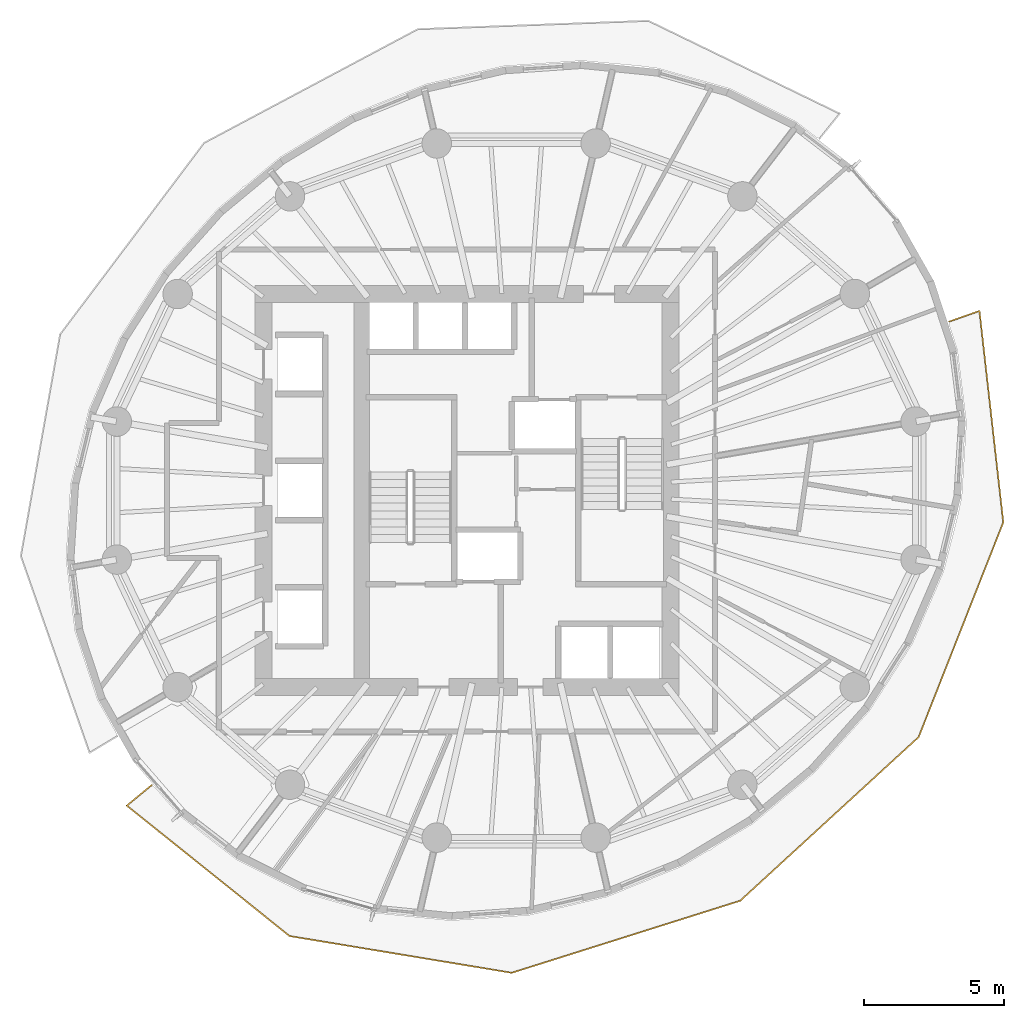
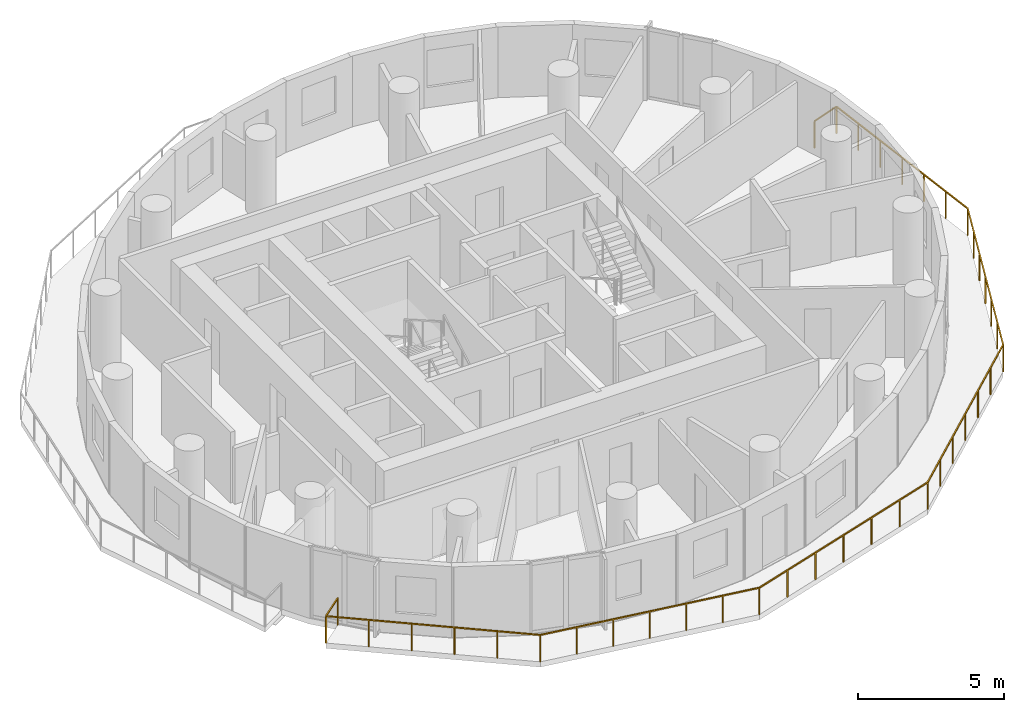
# One storey, part 9 of 12: 1 railing.
"""IFC4 building model written with IfcOpenShell, lengths in metres."""

from ifc_helpers import new_model, si_unit, direction, frame, origin, origin_2d, place, context, subcontext, project, spatial, rectangle, extrude, material, type_object, element, save


model = new_model("IFC4")

# Units and contexts
model_context = context("Model", 3, precision=1e-05, world=origin(), true_north=direction((0.0, 1.0)))
body_context = subcontext(model_context, "Body", "Model", "MODEL_VIEW")
ifc_project = project(units=[si_unit("LENGTHUNIT", "METRE"), si_unit("AREAUNIT", "SQUARE_METRE"), si_unit("VOLUMEUNIT", "CUBIC_METRE"), si_unit("PLANEANGLEUNIT", "RADIAN"), si_unit("MASSUNIT", "GRAM", prefix="KILO")], contexts=[model_context])

# Site, building, storey
site_placement = place(None, origin())
site = spatial("IfcSite", under=ifc_project, at=site_placement, CompositionType="ELEMENT")
building_placement = place(site_placement, origin())
building = spatial("IfcBuilding", under=site, at=building_placement, Name="Veldorim Arch Residences", CompositionType="ELEMENT")
storey_placement = place(building_placement, frame((0.0, 0.0, 142.56005859375)))
storey = spatial("IfcBuildingStorey", under=building, at=storey_placement, Name="L42", CompositionType="ELEMENT", Elevation=142.56005859375)

# Railing
ifc_material = material(Name="Aluminium", Category="aluminium")
railing_type = type_object("IfcRailingType", Name="Balcony & Terrace Laminated Glass Balustrade 1150", PredefinedType="BALUSTRADE", material=ifc_material)
railing_placement = place(storey_placement, frame((19.018310546875, 13.511962890625, 0.0)))
element("IfcRailing", 1, at=railing_placement, inside=storey, type_object=railing_type, Name="L42 crescent balcony safety balustrade B", PredefinedType="BALUSTRADE", context=body_context, shape_type="SweptSolid", body=[
    extrude(rectangle(XDim=0.048095703125, YDim=0.048095703125, at=origin_2d()), frame((0.0, 0.0, 1.1259765625), z_axis=(-0.771862825794, -0.635789098804, 0.0), x_axis=(0.635789098804, -0.771862825794, 0.0)), (0.0, 0.0, 1.0), 1.150146484375),
    extrude(rectangle(XDim=0.048095703125, YDim=0.048095703125, at=origin_2d()), frame((-0.8876953125, -0.731201171875, 1.1259765625), z_axis=(0.780352361535, -0.625340060964, 0.0), x_axis=(0.625340060964, 0.780352361535, 0.0)), (0.0, 0.0, 1.0), 7.42919921875),
    extrude(rectangle(XDim=0.048095703125, YDim=0.048095703125, at=origin_2d()), frame((4.90966796875, -5.376953125, 1.1259765625), z_axis=(0.986583319293, -0.163258549828, 0.0), x_axis=(0.163258549828, 0.986583319293, 0.0)), (0.0, 0.0, 1.0), 8.02001953125),
    extrude(rectangle(XDim=0.048095703125, YDim=0.048095703125, at=origin_2d()), frame((12.822021484375, -6.686279296875, 1.1259765625), z_axis=(0.953685518948, 0.300805470277, 0.0), x_axis=(-0.300805470277, 0.953685518948, 0.0)), (0.0, 0.0, 1.0), 8.533447265625),
    extrude(rectangle(XDim=0.048095703125, YDim=0.048095703125, at=origin_2d()), frame((20.960205078125, -4.119384765625, 1.1259765625), z_axis=(0.736834380594, 0.67607329157, 0.0), x_axis=(-0.67607329157, 0.736834380594, 0.0)), (0.0, 0.0, 1.0), 8.622802734375),
    extrude(rectangle(XDim=0.048095703125, YDim=0.048095703125, at=origin_2d()), frame((27.313720703125, 1.710205078125, 1.1259765625), z_axis=(0.366690452542, 0.930343007721, 0.0), x_axis=(-0.930343007721, 0.366690452542, 0.0)), (0.0, 0.0, 1.0), 8.220458984375),
    extrude(rectangle(XDim=0.048095703125, YDim=0.048095703125, at=origin_2d()), frame((30.328125, 9.358154296875, 1.1259765625), z_axis=(-0.11205134773, 0.993702417966, 0.0), x_axis=(-0.993702417966, -0.11205134773, 0.0)), (0.0, 0.0, 1.0), 7.57568359375),
    extrude(rectangle(XDim=0.048095703125, YDim=0.048095703125, at=origin_2d()), frame((29.479248046875, 16.88623046875, 1.1259765625), z_axis=(-0.94357671006, -0.331154030977, 0.0), x_axis=(0.331154030977, -0.94357671006, 0.0)), (0.0, 0.0, 1.0), 1.150146484375),
    extrude(rectangle(XDim=0.0419921875, YDim=0.0419921875, at=origin_2d()), origin(), (0.0, 0.0, 1.0), 1.101806640625),
    extrude(rectangle(XDim=0.0419921875, YDim=0.0419921875, at=origin_2d()), frame((-0.8876953125, -0.731201171875, 0.0)), (0.0, 0.0, 1.0), 1.101806640625),
    extrude(rectangle(XDim=0.0419921875, YDim=0.0419921875, at=origin_2d()), frame((0.271728515625, -1.660400390625, 0.0)), (0.0, 0.0, 1.0), 1.101806640625),
    extrude(rectangle(XDim=0.0419921875, YDim=0.0419921875, at=origin_2d()), frame((1.43115234375, -2.589599609375, 0.0)), (0.0, 0.0, 1.0), 1.101806640625),
    extrude(rectangle(XDim=0.0419921875, YDim=0.0419921875, at=origin_2d()), frame((2.5908203125, -3.5185546875, 0.0)), (0.0, 0.0, 1.0), 1.101806640625),
    extrude(rectangle(XDim=0.0419921875, YDim=0.0419921875, at=origin_2d()), frame((3.750244140625, -4.44775390625, 0.0)), (0.0, 0.0, 1.0), 1.101806640625),
    extrude(rectangle(XDim=0.0419921875, YDim=0.0419921875, at=origin_2d()), frame((4.90966796875, -5.376953125, 0.0)), (0.0, 0.0, 1.0), 1.101806640625),
    extrude(rectangle(XDim=0.0419921875, YDim=0.0419921875, at=origin_2d()), frame((6.228515625, -5.59521484375, 0.0)), (0.0, 0.0, 1.0), 1.101806640625),
    extrude(rectangle(XDim=0.0419921875, YDim=0.0419921875, at=origin_2d()), frame((7.547119140625, -5.8134765625, 0.0)), (0.0, 0.0, 1.0), 1.101806640625),
    extrude(rectangle(XDim=0.0419921875, YDim=0.0419921875, at=origin_2d()), frame((8.86572265625, -6.03173828125, 0.0)), (0.0, 0.0, 1.0), 1.101806640625),
    extrude(rectangle(XDim=0.0419921875, YDim=0.0419921875, at=origin_2d()), frame((10.1845703125, -6.249755859375, 0.0)), (0.0, 0.0, 1.0), 1.101806640625),
    extrude(rectangle(XDim=0.0419921875, YDim=0.0419921875, at=origin_2d()), frame((11.50341796875, -6.468017578125, 0.0)), (0.0, 0.0, 1.0), 1.101806640625),
    extrude(rectangle(XDim=0.0419921875, YDim=0.0419921875, at=origin_2d()), frame((12.822021484375, -6.686279296875, 0.0)), (0.0, 0.0, 1.0), 1.101806640625),
    extrude(rectangle(XDim=0.0419921875, YDim=0.0419921875, at=origin_2d()), frame((14.178466796875, -6.258544921875, 0.0)), (0.0, 0.0, 1.0), 1.101806640625),
    extrude(rectangle(XDim=0.0419921875, YDim=0.0419921875, at=origin_2d()), frame((15.53466796875, -5.83056640625, 0.0)), (0.0, 0.0, 1.0), 1.101806640625),
    extrude(rectangle(XDim=0.0419921875, YDim=0.0419921875, at=origin_2d()), frame((16.89111328125, -5.40283203125, 0.0)), (0.0, 0.0, 1.0), 1.101806640625),
    extrude(rectangle(XDim=0.0419921875, YDim=0.0419921875, at=origin_2d()), frame((18.24755859375, -4.97509765625, 0.0)), (0.0, 0.0, 1.0), 1.101806640625),
    extrude(rectangle(XDim=0.0419921875, YDim=0.0419921875, at=origin_2d()), frame((19.603759765625, -4.547119140625, 0.0)), (0.0, 0.0, 1.0), 1.101806640625),
    extrude(rectangle(XDim=0.0419921875, YDim=0.0419921875, at=origin_2d()), frame((20.960205078125, -4.119384765625, 0.0)), (0.0, 0.0, 1.0), 1.101806640625),
    extrude(rectangle(XDim=0.0419921875, YDim=0.0419921875, at=origin_2d()), frame((22.01904296875, -3.147705078125, 0.0)), (0.0, 0.0, 1.0), 1.101806640625),
    extrude(rectangle(XDim=0.0419921875, YDim=0.0419921875, at=origin_2d()), frame((23.078125, -2.17626953125, 0.0)), (0.0, 0.0, 1.0), 1.101806640625),
    extrude(rectangle(XDim=0.0419921875, YDim=0.0419921875, at=origin_2d()), frame((24.136962890625, -1.20458984375, 0.0)), (0.0, 0.0, 1.0), 1.101806640625),
    extrude(rectangle(XDim=0.0419921875, YDim=0.0419921875, at=origin_2d()), frame((25.19580078125, -0.23291015625, 0.0)), (0.0, 0.0, 1.0), 1.101806640625),
    extrude(rectangle(XDim=0.0419921875, YDim=0.0419921875, at=origin_2d()), frame((26.2548828125, 0.738525390625, 0.0)), (0.0, 0.0, 1.0), 1.101806640625),
    extrude(rectangle(XDim=0.0419921875, YDim=0.0419921875, at=origin_2d()), frame((27.313720703125, 1.710205078125, 0.0)), (0.0, 0.0, 1.0), 1.101806640625),
    extrude(rectangle(XDim=0.0419921875, YDim=0.0419921875, at=origin_2d()), frame((27.816162109375, 2.98486328125, 0.0)), (0.0, 0.0, 1.0), 1.101806640625),
    extrude(rectangle(XDim=0.0419921875, YDim=0.0419921875, at=origin_2d()), frame((28.318603515625, 4.259521484375, 0.0)), (0.0, 0.0, 1.0), 1.101806640625),
    extrude(rectangle(XDim=0.0419921875, YDim=0.0419921875, at=origin_2d()), frame((28.82080078125, 5.5341796875, 0.0)), (0.0, 0.0, 1.0), 1.101806640625),
    extrude(rectangle(XDim=0.0419921875, YDim=0.0419921875, at=origin_2d()), frame((29.3232421875, 6.808837890625, 0.0)), (0.0, 0.0, 1.0), 1.101806640625),
    extrude(rectangle(XDim=0.0419921875, YDim=0.0419921875, at=origin_2d()), frame((29.82568359375, 8.08349609375, 0.0)), (0.0, 0.0, 1.0), 1.101806640625),
    extrude(rectangle(XDim=0.0419921875, YDim=0.0419921875, at=origin_2d()), frame((30.328125, 9.358154296875, 0.0)), (0.0, 0.0, 1.0), 1.101806640625),
    extrude(rectangle(XDim=0.0419921875, YDim=0.0419921875, at=origin_2d()), frame((30.1865234375, 10.61279296875, 0.0)), (0.0, 0.0, 1.0), 1.101806640625),
    extrude(rectangle(XDim=0.0419921875, YDim=0.0419921875, at=origin_2d()), frame((30.045166015625, 11.867431640625, 0.0)), (0.0, 0.0, 1.0), 1.101806640625),
    extrude(rectangle(XDim=0.0419921875, YDim=0.0419921875, at=origin_2d()), frame((29.90380859375, 13.1220703125, 0.0)), (0.0, 0.0, 1.0), 1.101806640625),
    extrude(rectangle(XDim=0.0419921875, YDim=0.0419921875, at=origin_2d()), frame((29.76220703125, 14.376953125, 0.0)), (0.0, 0.0, 1.0), 1.101806640625),
    extrude(rectangle(XDim=0.0419921875, YDim=0.0419921875, at=origin_2d()), frame((29.62060546875, 15.631591796875, 0.0)), (0.0, 0.0, 1.0), 1.101806640625),
    extrude(rectangle(XDim=0.0419921875, YDim=0.0419921875, at=origin_2d()), frame((29.479248046875, 16.88623046875, 0.0)), (0.0, 0.0, 1.0), 1.101806640625),
    extrude(rectangle(XDim=0.0419921875, YDim=0.0419921875, at=origin_2d()), frame((28.39404296875, 16.50537109375, 0.0)), (0.0, 0.0, 1.0), 1.101806640625),
])

save(model, "model.ifc")
